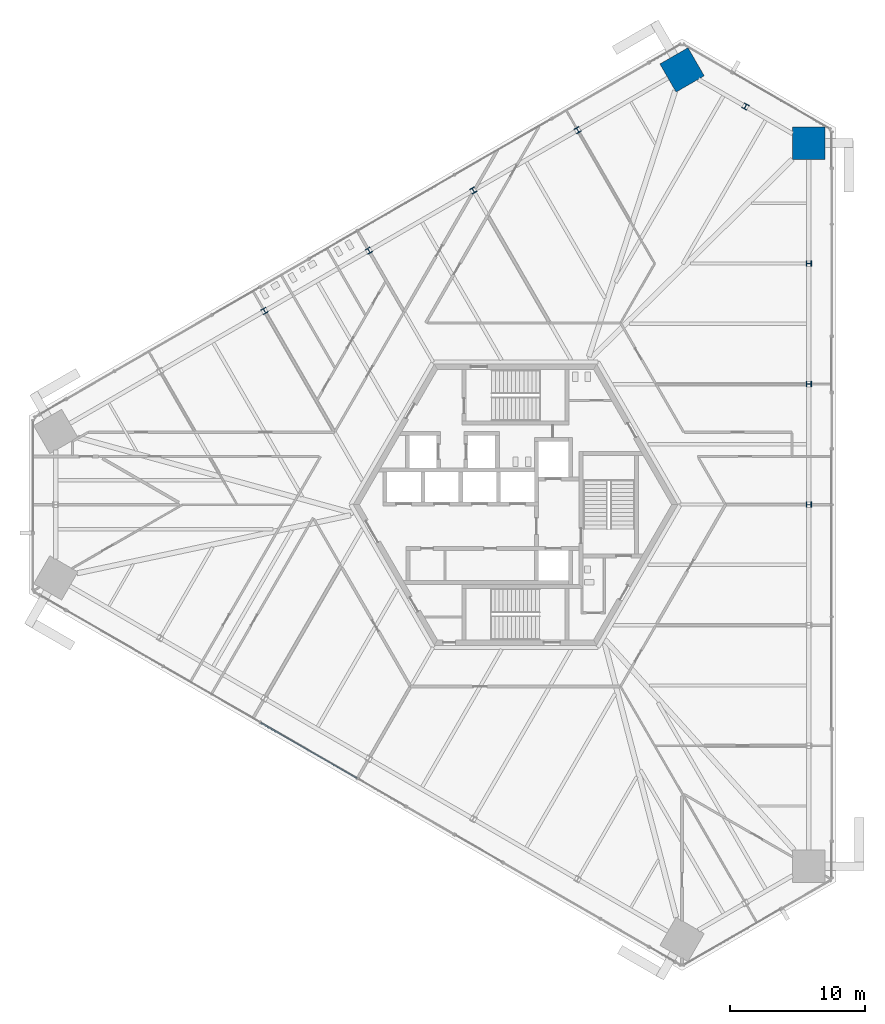
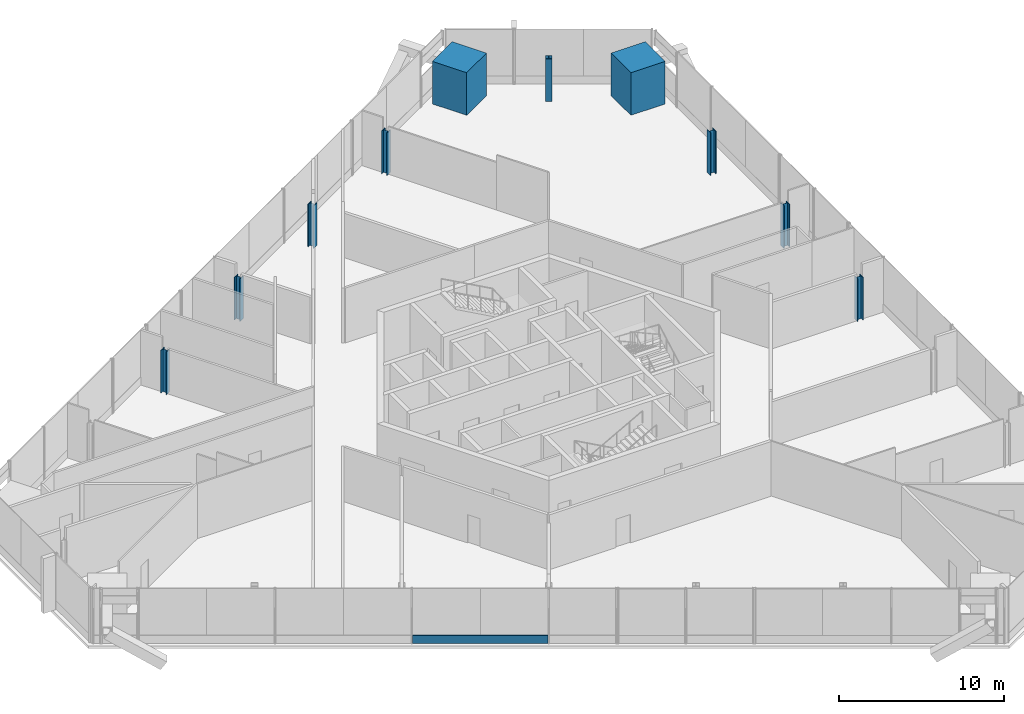
# One storey, part 2 of 22: 10 columns, 1 member, 1 element without a shape of its own.
"""IFC4 building model written with IfcOpenShell, lengths in metres."""

from ifc_helpers import new_model, si_unit, direction, frame, origin, origin_2d, place, context, subcontext, project, spatial, rectangle, i_section, extrude, source, transform, mapped, material, material_profile, profile_set, type_object, element, aggregate, save


model = new_model("IFC4")

# Units and contexts
model_context = context("Model", 3, precision=1e-05, world=origin(), true_north=direction((0.0, 1.0)))
body_context = subcontext(model_context, "Body", "Model", "MODEL_VIEW")
ifc_project = project(units=[si_unit("LENGTHUNIT", "METRE"), si_unit("AREAUNIT", "SQUARE_METRE"), si_unit("VOLUMEUNIT", "CUBIC_METRE"), si_unit("PLANEANGLEUNIT", "RADIAN"), si_unit("MASSUNIT", "GRAM", prefix="KILO")], contexts=[model_context])

# Site, building, storey
site_placement = place(None, origin())
site = spatial("IfcSite", under=ifc_project, at=site_placement, CompositionType="ELEMENT")
building_placement = place(site_placement, origin())
building = spatial("IfcBuilding", under=site, at=building_placement, Name="Triune Harvest Tower", CompositionType="ELEMENT")
storey_placement = place(building_placement, frame((0.0, 0.0, 50.39990234375)))
storey = spatial("IfcBuildingStorey", under=building, at=storey_placement, Name="L11", CompositionType="ELEMENT", Elevation=50.39990234375)

# Columns
ifc_material_1 = material(Name="Concrete 70 MPa", Category="concrete")
ifc_material_profile_1 = material_profile(ifc_material_1, rectangle(XDim=2.39990234375, YDim=2.39990234375, at=origin_2d()), Name="Composite 2400x2400")
ifc_profile_set_1 = profile_set([ifc_material_profile_1], Name="Concrete 70 MPa")
column_type_1 = type_object("IfcColumnType", Name="MC-1 Mega column Composite 2400x2400", PredefinedType="COLUMN", material=ifc_profile_set_1)
shared_shape_1 = source(origin(), body_context, "Body", "SweptSolid", [
    extrude(rectangle(XDim=2.39990234375, YDim=2.39990234375, at=origin_2d()), origin(), (0.0, 0.0, 1.0), 3.150146484375),
])
for number, where, z_axis, x_axis, name in (
    (1, (21.679443359375, 26.72998046875, 0.0), (0.0, 0.0, 1.0), (0.0, 1.0, 0.0), "col/L11/M6"),
    (2, (12.30908203125, 32.139892578125, 0.0), (0.0, 0.0, 1.0), (-0.866025403784, -0.5, 0.0), "col/L11/M8"),
):
    element("IfcColumn", number, at=place(storey_placement, frame(where, z_axis=z_axis, x_axis=x_axis)), inside=storey, type_object=column_type_1, Name=name, PredefinedType="COLUMN", context=body_context, shape_type="MappedRepresentation", body=[
        mapped(shared_shape_1, transform((0.0, 0.0, 0.0), scale=1.0)),
    ])
ifc_material_2 = material(Name="Steel ASTM A992 Gr 50", Category="steel")
ifc_material_profile_2 = material_profile(ifc_material_2, i_section(OverallWidth=0.40380859375, OverallDepth=0.406494140625, WebThickness=0.027099609375, FlangeThickness=0.043701171875, at=origin_2d()), Name="W14x233")
ifc_profile_set_2 = profile_set([ifc_material_profile_2], Name="Steel ASTM A992 Gr 50")
column_type_2 = type_object("IfcColumnType", Name="PC-1 Perimeter column W14x233", PredefinedType="COLUMN", material=ifc_profile_set_2)
shared_shape_2 = source(origin(), body_context, "Body", "SweptSolid", [
    extrude(i_section(OverallWidth=0.40380859375, OverallDepth=0.406494140625, WebThickness=0.027099609375, FlangeThickness=0.043701171875, at=origin_2d()), origin(), (0.0, 0.0, 1.0), 3.150146484375),
])
for number, where, z_axis, x_axis, name in (
    (3, (21.679443359375, 0.0, 0.0), (0.0, 0.0, 1.0), (0.0, 1.0, 0.0), "col/L11/P3"),
    (4, (21.679443359375, 8.909912109375, 0.0), (0.0, 0.0, 1.0), (0.0, 1.0, 0.0), "col/L11/P4"),
    (5, (21.679443359375, 17.820068359375, 0.0), (0.0, 0.0, 1.0), (0.0, 1.0, 0.0), "col/L11/P5"),
    (6, (16.994384765625, 29.43505859375, 0.0), (0.0, 0.0, 1.0), (-0.866026276448, 0.4999984885, 0.0), "col/L11/P7"),
    (7, (4.5927734375, 27.68505859375, 0.0), (0.0, 0.0, 1.0), (-0.866025403784, -0.5, 0.0), "col/L11/P9"),
    (8, (-3.12353515625, 23.22998046875, 0.0), (0.0, 0.0, 1.0), (-0.866025403784, -0.5, 0.0), "col/L11/P10"),
    (9, (-10.839599609375, 18.77490234375, 0.0), (0.0, 0.0, 1.0), (-0.866025403784, -0.5, 0.0), "col/L11/P11"),
    (10, (-18.555908203125, 14.320068359375, 0.0), (0.0, 0.0, 1.0), (-0.866025403784, -0.5, 0.0), "col/L11/P12"),
):
    element("IfcColumn", number, at=place(storey_placement, frame(where, z_axis=z_axis, x_axis=x_axis)), inside=storey, type_object=column_type_2, Name=name, PredefinedType="COLUMN", context=body_context, shape_type="MappedRepresentation", body=[
        mapped(shared_shape_2, transform((0.0, 0.0, 0.0), scale=1.0)),
    ])

# Curtain wall, member
ifc_material_3 = material(Name="Aluminium bronze anodised", Category="aluminium")
curtain_wall_type = type_object("IfcCurtainWallType", Name="CW-3 Farm floor curtain wall", PredefinedType="NOTDEFINED", material=ifc_material_3)
curtain_wall_placement = place(storey_placement, origin())
curtain_wall = element("IfcCurtainWall", 11, at=curtain_wall_placement, inside=storey, type_object=curtain_wall_type, Name="CW-3 B1-F5 L11 run 301")
ifc_material_4 = material(Name="Aluminium bronze anodised", Category="aluminium")
ifc_material_profile_3 = material_profile(ifc_material_4, rectangle(XDim=0.090087890625, YDim=0.60009765625, at=origin_2d()), Name="TR-3 transom 90 x 600")
ifc_profile_set_3 = profile_set([ifc_material_profile_3], Name="Aluminium bronze anodised")
member_type = type_object("IfcMemberType", Name="TR-3 transom 90 x 600", PredefinedType="USERDEFINED", material=ifc_profile_set_3)
shared_shape_3 = source(origin(), body_context, "Body", "SweptSolid", [
    extrude(rectangle(XDim=0.090087890625, YDim=0.60009765625, at=origin_2d()), origin(), (0.0, 0.0, 1.0), 8.2138671875),
])
member_placement = place(storey_placement, frame((-18.833740234375, -16.11328125, 0.300048828125), z_axis=(0.866021252249, -0.500007190601, 0.0), x_axis=(0.500007190601, 0.866021252249, 0.0)))
member = element("IfcMember", 12, at=member_placement, type_object=member_type, Name="CW-3 transom B1-F5 301.3", ObjectType="TRANSOM", PredefinedType="USERDEFINED", context=body_context, shape_type="MappedRepresentation", body=[
    mapped(shared_shape_3, transform((0.0, 0.0, 0.0), scale=1.0)),
])
aggregate(curtain_wall, [member])

save(model, "model.ifc")
